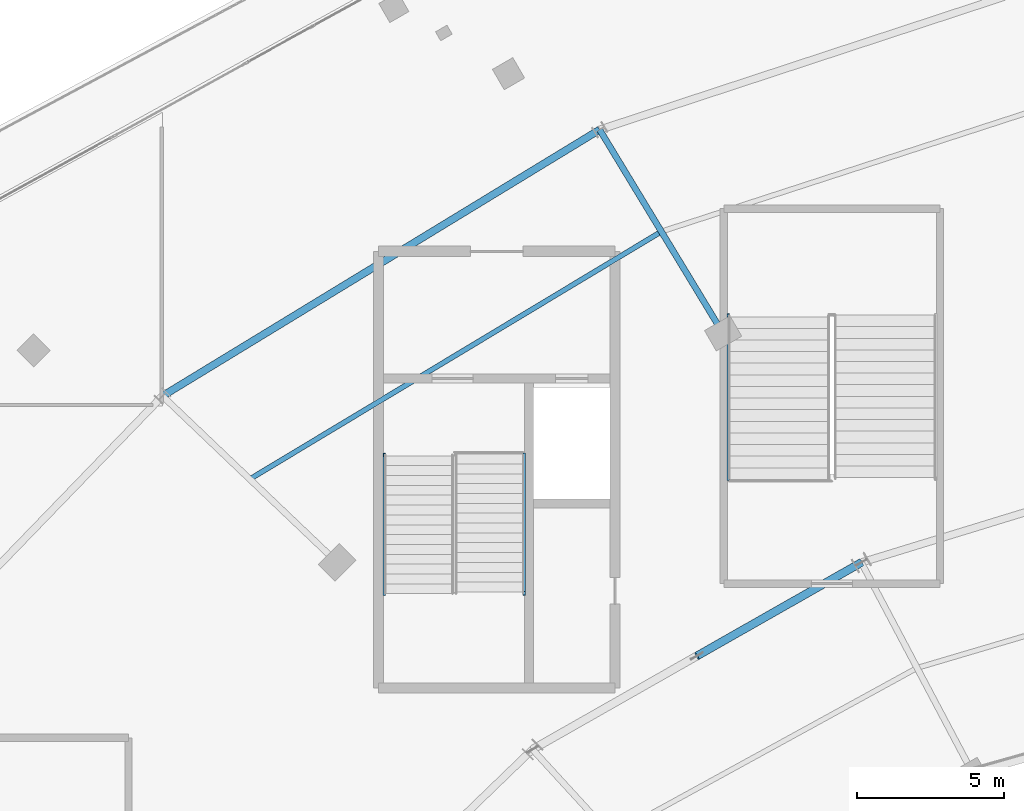
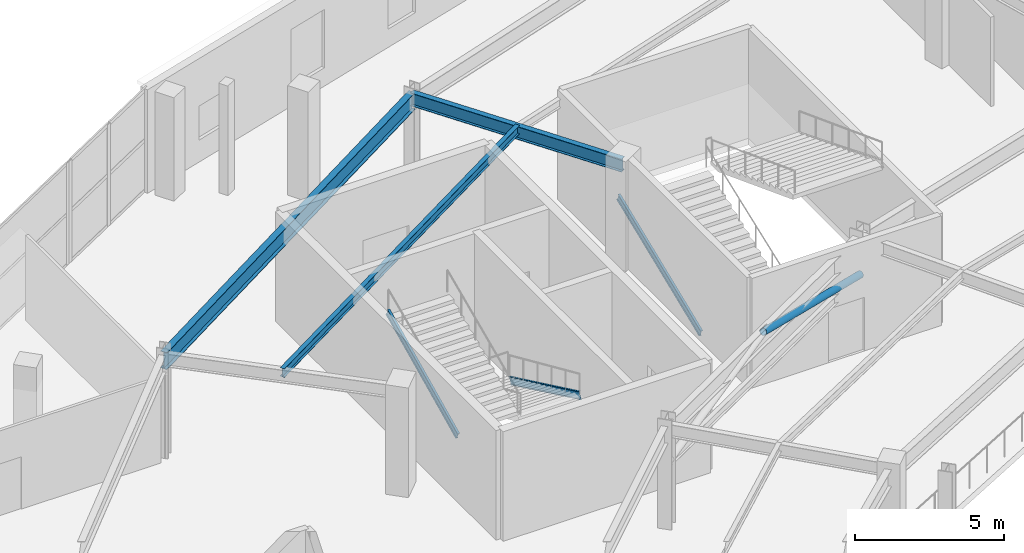
# One storey, part 31 of 107: 4 members, 3 beams.
"""IFC4 building model written with IfcOpenShell, lengths in metres."""

from ifc_helpers import new_model, si_unit, direction, frame, origin, origin_2d, place, context, subcontext, project, spatial, hollow_circle, i_section, extrude, material, material_profile, profile_set, type_object, element, save


model = new_model("IFC4")

# Units and contexts
model_context = context("Model", 3, precision=1e-05, world=origin(), true_north=direction((0.0, 1.0)))
body_context = subcontext(model_context, "Body", "Model", "MODEL_VIEW")
ifc_project = project(units=[si_unit("LENGTHUNIT", "METRE"), si_unit("AREAUNIT", "SQUARE_METRE"), si_unit("VOLUMEUNIT", "CUBIC_METRE"), si_unit("PLANEANGLEUNIT", "RADIAN"), si_unit("MASSUNIT", "GRAM", prefix="KILO")], contexts=[model_context])

# Site, building, storey
site_placement = place(None, origin())
site = spatial("IfcSite", under=ifc_project, at=site_placement, CompositionType="ELEMENT")
building_placement = place(site_placement, origin())
building = spatial("IfcBuilding", under=site, at=building_placement, Name="Kalgoora Escarpment Arena", CompositionType="ELEMENT")
storey_placement = place(building_placement, frame((0.0, 0.0, 5.39990234375)))
storey = spatial("IfcBuildingStorey", under=building, at=storey_placement, Name="L01", CompositionType="ELEMENT", Elevation=5.39990234375)

# Beams
ifc_material_1 = material(Name="Structural steel AS/NZS 3679 (300 MPa)", Category="steel")
ifc_material_profile_1 = material_profile(ifc_material_1, i_section(OverallWidth=0.1708984375, OverallDepth=0.35205078125, WebThickness=0.0068359375, FlangeThickness=0.009765625, at=origin_2d()))
ifc_profile_set_1 = profile_set([ifc_material_profile_1], Name="Structural steel AS/NZS 3679 (300 MPa)")
beam_type_1 = type_object("IfcBeamType", Name="BM-BEAM-360UB44.7", PredefinedType="BEAM", material=ifc_profile_set_1)
beam_1_placement = place(storey_placement, frame((58.60009765625, 109.8994140625, 4.05419921875), z_axis=(-0.856889805315, -0.515499623227, 0.0), x_axis=(0.515499623227, -0.856889805315, 0.0)))
element("IfcBeam", 1, at=beam_1_placement, inside=storey, type_object=beam_type_1, Name="L01 Concourse secondary ring beam 360UB44.7", PredefinedType="BEAM", context=body_context, shape_type="SweptSolid", body=[
    extrude(i_section(OverallWidth=0.1708984375, OverallDepth=0.35205078125, WebThickness=0.0068359375, FlangeThickness=0.009765625, at=origin_2d()), origin(), (0.0, 0.0, 1.0), 16.338623046875),
])
ifc_material_2 = material(Name="Structural steel AS/NZS 3679 (300 MPa)", Category="steel")
ifc_material_profile_2 = material_profile(ifc_material_2, i_section(OverallWidth=0.208984375, OverallDepth=0.532958984375, WebThickness=0.01025390625, FlangeThickness=0.015625, at=origin_2d()))
ifc_profile_set_2 = profile_set([ifc_material_profile_2], Name="Structural steel AS/NZS 3679 (300 MPa)")
beam_type_2 = type_object("IfcBeamType", Name="BM-GIRDER-530UB92.4", PredefinedType="USERDEFINED", material=ifc_profile_set_2)
beam_2_placement = place(storey_placement, frame((60.699951171875, 106.435302734375, 3.963623046875), z_axis=(-0.518407902139, 0.85513346736, 0.0), x_axis=(-0.85513346736, -0.518407902139, 0.0)))
element("IfcBeam", 2, at=beam_2_placement, inside=storey, type_object=beam_type_2, Name="L01 Radial concourse girder 530UB92.4", ObjectType="GIRDER", PredefinedType="USERDEFINED", context=body_context, shape_type="SweptSolid", body=[
    extrude(i_section(OverallWidth=0.208984375, OverallDepth=0.532958984375, WebThickness=0.01025390625, FlangeThickness=0.015625, at=origin_2d()), origin(), (0.0, 0.0, 1.0), 8.1015625),
])
ifc_material_3 = material(Name="Structural steel AS/NZS 3679 (300 MPa)", Category="steel")
ifc_material_profile_3 = material_profile(ifc_material_3, i_section(OverallWidth=0.25, OverallDepth=0.699951171875, WebThickness=0.010009765625, FlangeThickness=0.02001953125, at=origin_2d()))
ifc_profile_set_3 = profile_set([ifc_material_profile_3], Name="Structural steel AS/NZS 3679 (300 MPa)")
beam_type_3 = type_object("IfcBeamType", Name="BM-SPANDREL-700WB130", PredefinedType="SPANDREL", material=ifc_profile_set_3)
beam_3_placement = place(storey_placement, frame((56.5, 113.36328125, 3.880126953125), z_axis=(-0.854030640858, -0.520222706613, 0.0), x_axis=(0.520222706613, -0.854030640858, 0.0)))
element("IfcBeam", 3, at=beam_3_placement, inside=storey, type_object=beam_type_3, Name="L01 Circumferential concourse girder RCONC2 700WB130", PredefinedType="SPANDREL", context=body_context, shape_type="SweptSolid", body=[
    extrude(i_section(OverallWidth=0.25, OverallDepth=0.699951171875, WebThickness=0.010009765625, FlangeThickness=0.02001953125, at=origin_2d()), origin(), (0.0, 0.0, 1.0), 17.411865234375),
])

# Members
ifc_material_4 = material(Name="Structural steel C350 (350 MPa)", Category="steel")
ifc_material_profile_4 = material_profile(ifc_material_4, hollow_circle(Radius=0.136474609375, WallThickness=0.00927734375, at=origin_2d()))
ifc_profile_set_4 = profile_set([ifc_material_profile_4], Name="Structural steel C350 (350 MPa)")
member_type_1 = type_object("IfcMemberType", Name="MEM-BRACE-CHS273", PredefinedType="BRACE", material=ifc_profile_set_4)
member_1_placement = place(storey_placement, frame((65.39990234375, 98.64111328125, 2.52001953125), z_axis=(-0.845769222656, -0.480748756102, 0.231419652392), x_axis=(0.494163303182, -0.869369098708, 0.0)))
element("IfcMember", 4, at=member_1_placement, inside=storey, type_object=member_type_1, Name="L01 concentric lateral brace R09-1", PredefinedType="BRACE", context=body_context, shape_type="SweptSolid", body=[
    extrude(hollow_circle(Radius=0.136474609375, WallThickness=0.00927734375, at=origin_2d()), origin(), (0.0, 0.0, 1.0), 6.611572265625),
])
ifc_material_5 = material(Name="Structural steel AS/NZS 3679 (300 MPa)", Category="steel")
ifc_material_profile_5 = material_profile(ifc_material_5, i_section(OverallWidth=0.090087890625, OverallDepth=0.300048828125, WebThickness=0.008056640625, FlangeThickness=0.01611328125, at=origin_2d()))
ifc_profile_set_5 = profile_set([ifc_material_profile_5], Name="Structural steel AS/NZS 3679 (300 MPa)")
member_type_2 = type_object("IfcMemberType", Name="MEM-STRINGER-PFC", PredefinedType="STRINGER", material=ifc_profile_set_5)
for number, where, z_axis, x_axis, name in (
    (5, (53.929931640625, 102.31005859375, -0.039794921875), (0.0, -0.902682652253, 0.430306901317), (1.0, 0.0, 0.0), "ST03 L01 steel stair stringer 1"),
    (6, (49.169921875, 97.590087890625, 2.210205078125), (0.0, 0.902682652253, 0.430306901317), (-1.0, 0.0, 0.0), "ST03 L01 steel stair stringer 2"),
):
    element("IfcMember", number, at=place(storey_placement, frame(where, z_axis=z_axis, x_axis=x_axis)), inside=storey, type_object=member_type_2, Name=name, PredefinedType="STRINGER", context=body_context, shape_type="SweptSolid", body=[
        extrude(i_section(OverallWidth=0.090087890625, OverallDepth=0.300048828125, WebThickness=0.008056640625, FlangeThickness=0.01611328125, at=origin_2d()), origin(), (0.0, 0.0, 1.0), 5.228759765625),
    ])
member_2_placement = place(storey_placement, frame((60.8701171875, 101.489990234375, -0.039794921875), z_axis=(0.0, 0.926975796404, 0.375121144273), x_axis=(-1.0, 0.0, 0.0)))
element("IfcMember", 7, at=member_2_placement, inside=storey, type_object=member_type_2, Name="ST09 L01 steel stair stringer 1", PredefinedType="STRINGER", context=body_context, shape_type="SweptSolid", body=[
    extrude(i_section(OverallWidth=0.090087890625, OverallDepth=0.300048828125, WebThickness=0.008056640625, FlangeThickness=0.01611328125, at=origin_2d()), origin(), (0.0, 0.0, 1.0), 5.998046875),
])

save(model, "model.ifc")
